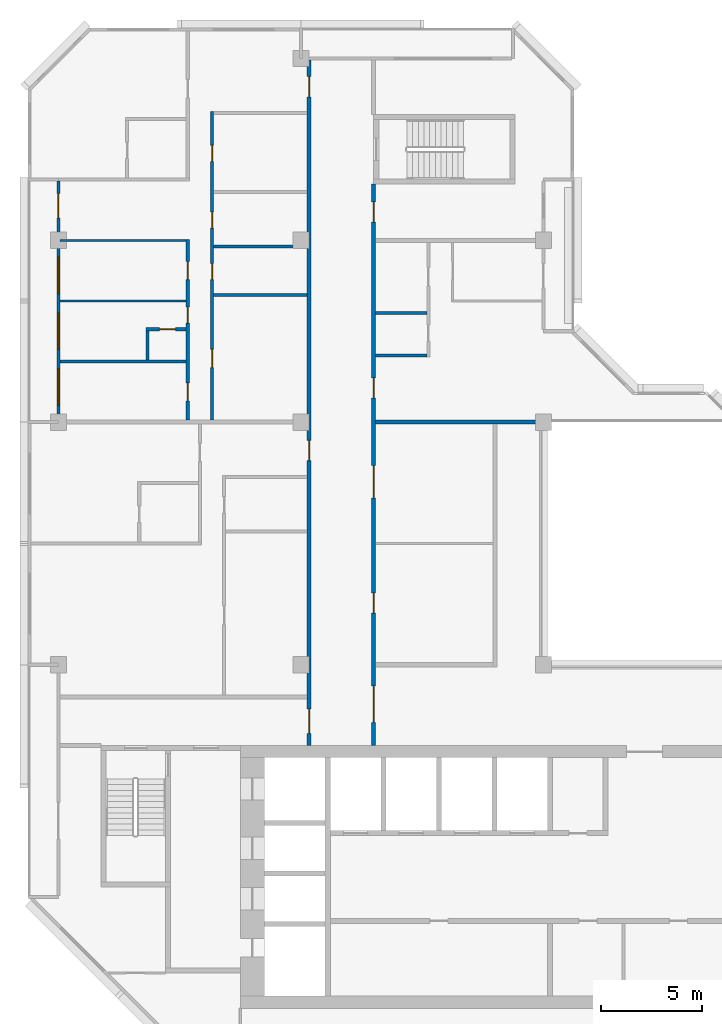
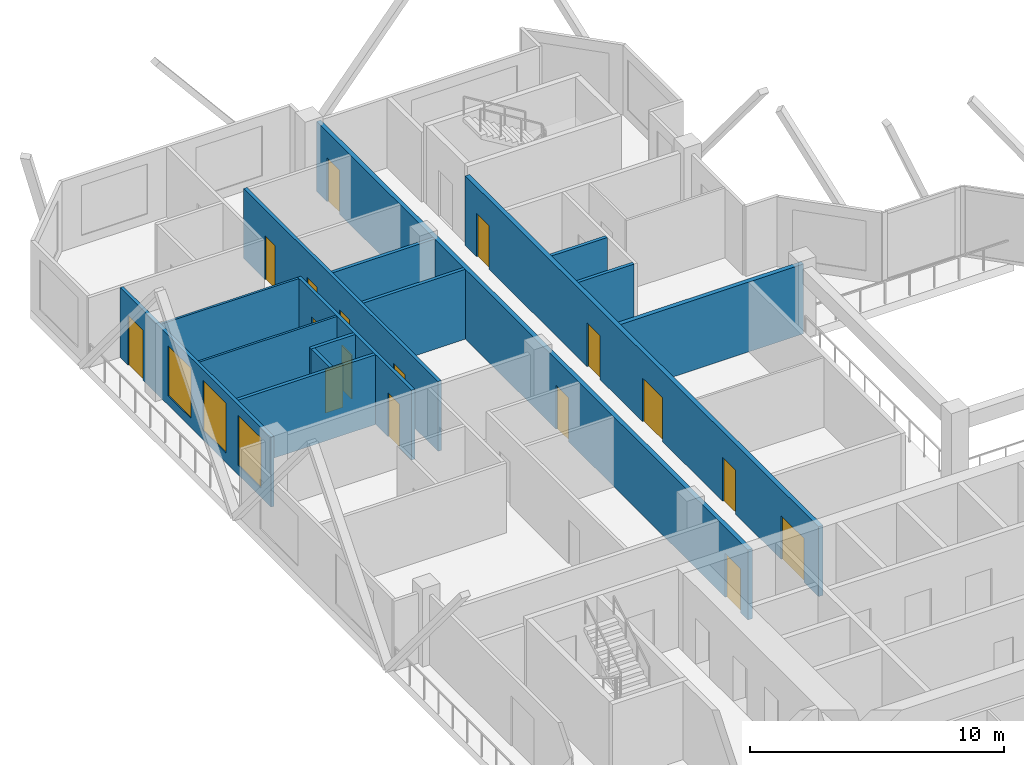
# One storey, part 9 of 13: 17 doors, 15 walls, 3 windows, 20 openings.
"""IFC4 building model written with IfcOpenShell, lengths in metres."""

from ifc_helpers import new_model, si_unit, direction, frame, frame_2d, origin, place, context, subcontext, project, spatial, rectangle, extrude, material, layer, layer_set, type_object, element, fill, save


model = new_model("IFC4")

# Units and contexts
model_context = context("Model", 3, precision=1e-05, world=origin(), true_north=direction((0.0, 1.0)))
body_context = subcontext(model_context, "Body", "Model", "MODEL_VIEW")
ifc_project = project(units=[si_unit("LENGTHUNIT", "METRE"), si_unit("AREAUNIT", "SQUARE_METRE"), si_unit("VOLUMEUNIT", "CUBIC_METRE"), si_unit("PLANEANGLEUNIT", "RADIAN"), si_unit("MASSUNIT", "GRAM", prefix="KILO")], contexts=[model_context])

# Site, building, storey
site_placement = place(None, origin())
site = spatial("IfcSite", under=ifc_project, at=site_placement, CompositionType="ELEMENT")
building_placement = place(site_placement, origin())
building = spatial("IfcBuilding", under=site, at=building_placement, Name="Chenar Terraces", CompositionType="ELEMENT")
storey_placement = place(building_placement, frame((0.0, 0.0, 295.89990234375)))
storey = spatial("IfcBuildingStorey", under=building, at=storey_placement, Name="L69", CompositionType="ELEMENT", Elevation=295.89990234375)

# Wall, openings, doors
ifc_material_1 = material(Name="Gypsum board on steel studs with fire boards", Category="steel")
ifc_layer_1 = layer(ifc_material_1, 0.199951171875)
ifc_layer_set_1 = layer_set([ifc_layer_1], Name="Gypsum board on steel studs with fire boards")
wall_type_1 = type_object("IfcWallType", Name="Corridor wall 200", PredefinedType="PARTITIONING", material=ifc_layer_set_1)
wall_1_placement = place(storey_placement, frame((12.39990234375, 20.0, 0.0), z_axis=(0.0, 0.0, 1.0), x_axis=(0.0, 1.0, 0.0)))
wall_1 = element("IfcWall", 1, at=wall_1_placement, inside=storey, type_object=wall_type_1, Name="Partition L69-031", PredefinedType="PARTITIONING", context=body_context, shape_type="SweptSolid", body=[
    extrude(rectangle(XDim=33.926025390625, YDim=0.199951171875, at=frame_2d((16.962890625, 0.0))), origin(), (0.0, 0.0, 1.0), 3.35009765625),
])
opening_1_placement = place(wall_1_placement, frame((32.10009765625, 0.0, 0.0)))
opening_1 = element("IfcOpeningElement", 2, at=opening_1_placement, cuts=wall_1, Name="Opening DL69-22", PredefinedType="OPENING", context=body_context, shape_type="SweptSolid", body=[
    extrude(rectangle(XDim=1.0, YDim=2.10009765625, at=frame_2d((0.5, 1.050048828125))), frame((0.0, 0.10986328125, 0.0), z_axis=(0.0, -1.0, 0.0), x_axis=(1.0, 0.0, 0.0)), (0.0, 0.0, 1.0), 0.219970703125),
])
opening_2_placement = place(wall_1_placement, frame((0.60009765625, 0.0, 0.0)))
opening_2 = element("IfcOpeningElement", 3, at=opening_2_placement, cuts=wall_1, Name="Opening DL69-29", PredefinedType="OPENING", context=body_context, shape_type="SweptSolid", body=[
    extrude(rectangle(XDim=1.199951171875, YDim=2.10009765625, at=frame_2d((0.60009765625, 1.050048828125))), frame((0.0, 0.10986328125, 0.0), z_axis=(0.0, -1.0, 0.0), x_axis=(1.0, 0.0, 0.0)), (0.0, 0.0, 1.0), 0.219970703125),
])
opening_3_placement = place(wall_1_placement, frame((14.10009765625, 0.0, 0.0)))
opening_3 = element("IfcOpeningElement", 4, at=opening_3_placement, cuts=wall_1, Name="Opening DL69-52", PredefinedType="OPENING", context=body_context, shape_type="SweptSolid", body=[
    extrude(rectangle(XDim=1.0, YDim=2.10009765625, at=frame_2d((0.5, 1.050048828125))), frame((0.0, 0.10986328125, 0.0), z_axis=(0.0, -1.0, 0.0), x_axis=(1.0, 0.0, 0.0)), (0.0, 0.0, 1.0), 0.219970703125),
])
ifc_material_2 = material(Name="Steel-framed fire-resisting door leaf", Category="steel")
door_type_1 = type_object("IfcDoorType", Name="Fire door FD30S 1000 x 2100", OperationType="SINGLE_SWING_LEFT", PredefinedType="DOOR", material=ifc_material_2)
door_1_placement = place(opening_1_placement, origin())
door_1 = element("IfcDoor", 5, at=door_1_placement, inside=storey, type_object=door_type_1, Name="Door DL69-22", OperationType="SINGLE_SWING_RIGHT", OverallHeight=2.10009765625, OverallWidth=1.0, PredefinedType="DOOR", context=body_context, shape_type="SweptSolid", body=[
    extrude(rectangle(XDim=1.0, YDim=2.10009765625, at=frame_2d((0.5, 1.050048828125))), frame((0.0, 0.02490234375, 0.0), z_axis=(0.0, -1.0, 0.0), x_axis=(1.0, 0.0, 0.0)), (0.0, 0.0, 1.0), 0.050048828125),
])
fill(opening_1, door_1)
door_2_placement = place(opening_3_placement, origin())
door_2 = element("IfcDoor", 6, at=door_2_placement, inside=storey, type_object=door_type_1, Name="Door DL69-52", OperationType="SINGLE_SWING_RIGHT", OverallHeight=2.10009765625, OverallWidth=1.0, PredefinedType="DOOR", context=body_context, shape_type="SweptSolid", body=[
    extrude(rectangle(XDim=1.0, YDim=2.10009765625, at=frame_2d((0.5, 1.050048828125))), frame((0.0, 0.02490234375, 0.0), z_axis=(0.0, -1.0, 0.0), x_axis=(1.0, 0.0, 0.0)), (0.0, 0.0, 1.0), 0.050048828125),
])
fill(opening_3, door_2)
ifc_material_3 = material(Name="Steel-framed fire-resisting door leaf", Category="steel")
door_type_2 = type_object("IfcDoorType", Name="Fire door FD30S 1200 x 2100", OperationType="SINGLE_SWING_LEFT", PredefinedType="DOOR", material=ifc_material_3)
door_3_placement = place(opening_2_placement, origin())
door_3 = element("IfcDoor", 7, at=door_3_placement, inside=storey, type_object=door_type_2, Name="Door DL69-29", OperationType="SINGLE_SWING_RIGHT", OverallHeight=2.10009765625, OverallWidth=1.199951171875, PredefinedType="DOOR", context=body_context, shape_type="SweptSolid", body=[
    extrude(rectangle(XDim=1.199951171875, YDim=2.10009765625, at=frame_2d((0.60009765625, 1.050048828125))), frame((0.0, 0.02490234375, 0.0), z_axis=(0.0, -1.0, 0.0), x_axis=(1.0, 0.0, 0.0)), (0.0, 0.0, 1.0), 0.050048828125),
])
fill(opening_2, door_3)

wall_2_placement = place(storey_placement, frame((15.60009765625, 20.0, 0.0), z_axis=(0.0, 0.0, 1.0), x_axis=(0.0, 1.0, 0.0)))
wall_2 = element("IfcWall", 8, at=wall_2_placement, inside=storey, type_object=wall_type_1, Name="Partition L69-033", PredefinedType="PARTITIONING", context=body_context, shape_type="SweptSolid", body=[
    extrude(rectangle(XDim=27.77490234375, YDim=0.199951171875, at=frame_2d((13.887451171875, 0.0))), origin(), (0.0, 0.0, 1.0), 3.35009765625),
])
opening_4_placement = place(wall_2_placement, frame((6.550048828125, 0.0, 0.0)))
opening_4 = element("IfcOpeningElement", 9, at=opening_4_placement, cuts=wall_2, Name="Opening DL69-1", PredefinedType="OPENING", context=body_context, shape_type="SweptSolid", body=[
    extrude(rectangle(XDim=1.0, YDim=2.10009765625, at=frame_2d((0.5, 1.050048828125))), frame((0.0, 0.10986328125, 0.0), z_axis=(0.0, -1.0, 0.0), x_axis=(1.0, 0.0, 0.0)), (0.0, 0.0, 1.0), 0.219970703125),
])
opening_5_placement = place(wall_2_placement, frame((12.25, 0.0, 0.0)))
opening_5 = element("IfcOpeningElement", 10, at=opening_5_placement, cuts=wall_2, Name="Opening DL69-2", PredefinedType="OPENING", context=body_context, shape_type="SweptSolid", body=[
    extrude(rectangle(XDim=1.60009765625, YDim=2.10009765625, at=frame_2d((0.800048828125, 1.050048828125))), frame((0.0, 0.10986328125, 0.0), z_axis=(0.0, -1.0, 0.0), x_axis=(1.0, 0.0, 0.0)), (0.0, 0.0, 1.0), 0.219970703125),
])
opening_6_placement = place(wall_2_placement, frame((17.199951171875, 0.0, 0.0)))
opening_6 = element("IfcOpeningElement", 11, at=opening_6_placement, cuts=wall_2, Name="Opening DL69-15", PredefinedType="OPENING", context=body_context, shape_type="SweptSolid", body=[
    extrude(rectangle(XDim=1.0, YDim=2.10009765625, at=frame_2d((0.5, 1.050048828125))), frame((0.0, 0.10986328125, 0.0), z_axis=(0.0, -1.0, 0.0), x_axis=(1.0, 0.0, 0.0)), (0.0, 0.0, 1.0), 0.219970703125),
])
opening_7_placement = place(wall_2_placement, frame((1.14990234375, 0.0, 0.0)))
opening_7 = element("IfcOpeningElement", 12, at=opening_7_placement, cuts=wall_2, Name="Opening DL69-28", PredefinedType="OPENING", context=body_context, shape_type="SweptSolid", body=[
    extrude(rectangle(XDim=1.800048828125, YDim=2.10009765625, at=frame_2d((0.89990234375, 1.050048828125))), frame((0.0, 0.10986328125, 0.0), z_axis=(0.0, -1.0, 0.0), x_axis=(1.0, 0.0, 0.0)), (0.0, 0.0, 1.0), 0.219970703125),
])
opening_8_placement = place(wall_2_placement, frame((25.89990234375, 0.0, 0.0)))
opening_8 = element("IfcOpeningElement", 13, at=opening_8_placement, cuts=wall_2, Name="Opening DL69-31", PredefinedType="OPENING", context=body_context, shape_type="SweptSolid", body=[
    extrude(rectangle(XDim=1.0, YDim=2.10009765625, at=frame_2d((0.5, 1.050048828125))), frame((0.0, 0.10986328125, 0.0), z_axis=(0.0, -1.0, 0.0), x_axis=(1.0, 0.0, 0.0)), (0.0, 0.0, 1.0), 0.219970703125),
])
ifc_material_4 = material(Name="Steel-framed fire-resisting door leaf", Category="steel")
door_type_3 = type_object("IfcDoorType", Name="Fire door FD60 1000 x 2100", OperationType="SINGLE_SWING_LEFT", PredefinedType="DOOR", material=ifc_material_4)
door_4_placement = place(opening_4_placement, frame((1.0, 0.0, 0.0), z_axis=(0.0, 0.0, 1.0), x_axis=(-1.0, 0.0, 0.0)))
door_4 = element("IfcDoor", 14, at=door_4_placement, inside=storey, type_object=door_type_3, Name="Door DL69-1", OperationType="SINGLE_SWING_LEFT", OverallHeight=2.10009765625, OverallWidth=1.0, PredefinedType="DOOR", context=body_context, shape_type="SweptSolid", body=[
    extrude(rectangle(XDim=1.0, YDim=2.10009765625, at=frame_2d((0.5, 1.050048828125))), frame((0.0, 0.02490234375, 0.0), z_axis=(0.0, -1.0, 0.0), x_axis=(1.0, 0.0, 0.0)), (0.0, 0.0, 1.0), 0.050048828125),
])
fill(opening_4, door_4)
door_5_placement = place(opening_6_placement, frame((1.0, 0.0, 0.0), z_axis=(0.0, 0.0, 1.0), x_axis=(-1.0, 0.0, 0.0)))
door_5 = element("IfcDoor", 15, at=door_5_placement, inside=storey, type_object=door_type_3, Name="Door DL69-15", OperationType="SINGLE_SWING_LEFT", OverallHeight=2.10009765625, OverallWidth=1.0, PredefinedType="DOOR", context=body_context, shape_type="SweptSolid", body=[
    extrude(rectangle(XDim=1.0, YDim=2.10009765625, at=frame_2d((0.5, 1.050048828125))), frame((0.0, 0.02490234375, 0.0), z_axis=(0.0, -1.0, 0.0), x_axis=(1.0, 0.0, 0.0)), (0.0, 0.0, 1.0), 0.050048828125),
])
fill(opening_6, door_5)
door_6_placement = place(opening_8_placement, frame((1.0, 0.0, 0.0), z_axis=(0.0, 0.0, 1.0), x_axis=(-1.0, 0.0, 0.0)))
door_6 = element("IfcDoor", 16, at=door_6_placement, inside=storey, type_object=door_type_3, Name="Door DL69-31", OperationType="SINGLE_SWING_RIGHT", OverallHeight=2.10009765625, OverallWidth=1.0, PredefinedType="DOOR", context=body_context, shape_type="SweptSolid", body=[
    extrude(rectangle(XDim=1.0, YDim=2.10009765625, at=frame_2d((0.5, 1.050048828125))), frame((0.0, 0.02490234375, 0.0), z_axis=(0.0, -1.0, 0.0), x_axis=(1.0, 0.0, 0.0)), (0.0, 0.0, 1.0), 0.050048828125),
])
fill(opening_8, door_6)
ifc_material_5 = material(Name="Steel-framed fire-resisting door leaf", Category="steel")
door_type_4 = type_object("IfcDoorType", Name="Fire double door FD60 1600 x 2100", OperationType="DOUBLE_DOOR_SINGLE_SWING", PredefinedType="DOOR", material=ifc_material_5)
door_7_placement = place(opening_5_placement, frame((1.60009765625, 0.0, 0.0), z_axis=(0.0, 0.0, 1.0), x_axis=(-1.0, 0.0, 0.0)))
door_7 = element("IfcDoor", 17, at=door_7_placement, inside=storey, type_object=door_type_4, Name="Door DL69-2", OperationType="DOUBLE_DOOR_SINGLE_SWING", OverallHeight=2.10009765625, OverallWidth=1.60009765625, PredefinedType="DOOR", context=body_context, shape_type="SweptSolid", body=[
    extrude(rectangle(XDim=1.60009765625, YDim=2.10009765625, at=frame_2d((0.800048828125, 1.050048828125))), frame((0.0, 0.02490234375, 0.0), z_axis=(0.0, -1.0, 0.0), x_axis=(1.0, 0.0, 0.0)), (0.0, 0.0, 1.0), 0.050048828125),
])
fill(opening_5, door_7)
ifc_material_6 = material(Name="Steel-framed fire-resisting door leaf", Category="steel")
door_type_5 = type_object("IfcDoorType", Name="Fire double door FD60 1800 x 2100", OperationType="DOUBLE_DOOR_SINGLE_SWING", PredefinedType="DOOR", material=ifc_material_6)
door_8_placement = place(opening_7_placement, frame((1.800048828125, 0.0, 0.0), z_axis=(0.0, 0.0, 1.0), x_axis=(-1.0, 0.0, 0.0)))
door_8 = element("IfcDoor", 18, at=door_8_placement, inside=storey, type_object=door_type_5, Name="Door DL69-28", OperationType="DOUBLE_DOOR_SINGLE_SWING", OverallHeight=2.10009765625, OverallWidth=1.800048828125, PredefinedType="DOOR", context=body_context, shape_type="SweptSolid", body=[
    extrude(rectangle(XDim=1.800048828125, YDim=2.10009765625, at=frame_2d((0.89990234375, 1.050048828125))), frame((0.0, 0.02490234375, 0.0), z_axis=(0.0, -1.0, 0.0), x_axis=(1.0, 0.0, 0.0)), (0.0, 0.0, 1.0), 0.050048828125),
])
fill(opening_7, door_8)

# Wall, openings, windows, door
ifc_material_7 = material(Name="Aluminium framed glazing", Category="aluminium")
ifc_layer_2 = layer(ifc_material_7, 0.14990234375)
ifc_layer_set_2 = layer_set([ifc_layer_2], Name="Aluminium framed glazing")
wall_type_2 = type_object("IfcWallType", Name="Glazed loggia back wall 150", PredefinedType="SOLIDWALL", material=ifc_layer_set_2)
wall_3_placement = place(storey_placement, frame((0.0, 47.925048828125, 0.0), z_axis=(0.0, 0.0, 1.0), x_axis=(0.0, -1.0, 0.0)))
wall_3 = element("IfcWall", 19, at=wall_3_placement, inside=storey, type_object=wall_type_2, Name="Glazed loggia back wall", PredefinedType="SOLIDWALL", context=body_context, shape_type="SweptSolid", body=[
    extrude(rectangle(XDim=11.85009765625, YDim=0.14990234375, at=frame_2d((5.925048828125, 0.0))), origin(), (0.0, 0.0, 1.0), 3.35009765625),
])
opening_9_placement = place(wall_3_placement, frame((0.612548828125, 0.0, 0.0)))
opening_9 = element("IfcOpeningElement", 20, at=opening_9_placement, cuts=wall_3, Name="Opening DL69-G2", PredefinedType="OPENING", context=body_context, shape_type="SweptSolid", body=[
    extrude(rectangle(XDim=1.199951171875, YDim=2.39990234375, at=frame_2d((0.60009765625, 1.199951171875))), frame((0.0, 0.0849609375, 0.0), z_axis=(0.0, -1.0, 0.0), x_axis=(1.0, 0.0, 0.0)), (0.0, 0.0, 1.0), 0.169921875),
])
opening_10_placement = place(wall_3_placement, frame((3.77490234375, 0.0, 0.449951171875)))
opening_10 = element("IfcOpeningElement", 21, at=opening_10_placement, cuts=wall_3, Name="Opening W180x240", PredefinedType="OPENING", context=body_context, shape_type="SweptSolid", body=[
    extrude(rectangle(XDim=1.800048828125, YDim=2.39990234375, at=frame_2d((0.89990234375, 1.199951171875))), frame((0.0, 0.0849609375, 0.0), z_axis=(0.0, -1.0, 0.0), x_axis=(1.0, 0.0, 0.0)), (0.0, 0.0, 1.0), 0.169921875),
])
opening_11_placement = place(wall_3_placement, frame((6.52490234375, 0.0, 0.449951171875)))
opening_11 = element("IfcOpeningElement", 22, at=opening_11_placement, cuts=wall_3, Name="Opening W180x240", PredefinedType="OPENING", context=body_context, shape_type="SweptSolid", body=[
    extrude(rectangle(XDim=1.800048828125, YDim=2.39990234375, at=frame_2d((0.89990234375, 1.199951171875))), frame((0.0, 0.0849609375, 0.0), z_axis=(0.0, -1.0, 0.0), x_axis=(1.0, 0.0, 0.0)), (0.0, 0.0, 1.0), 0.169921875),
])
opening_12_placement = place(wall_3_placement, frame((9.27490234375, 0.0, 0.449951171875)))
opening_12 = element("IfcOpeningElement", 23, at=opening_12_placement, cuts=wall_3, Name="Opening W180x240", PredefinedType="OPENING", context=body_context, shape_type="SweptSolid", body=[
    extrude(rectangle(XDim=1.800048828125, YDim=2.39990234375, at=frame_2d((0.89990234375, 1.199951171875))), frame((0.0, 0.0849609375, 0.0), z_axis=(0.0, -1.0, 0.0), x_axis=(1.0, 0.0, 0.0)), (0.0, 0.0, 1.0), 0.169921875),
])
ifc_material_8 = material(Name="Low emissivity double glazing, aluminium frame", Category="aluminium")
window_type = type_object("IfcWindowType", Name="Fixed light 1800 x 2400", PartitioningType="SINGLE_PANEL", PredefinedType="WINDOW", material=ifc_material_8)
window_1_placement = place(opening_10_placement, origin())
window_1 = element("IfcWindow", 24, at=window_1_placement, inside=storey, type_object=window_type, Name="Window", OverallHeight=2.39990234375, OverallWidth=1.800048828125, PartitioningType="SINGLE_PANEL", PredefinedType="WINDOW", context=body_context, shape_type="SweptSolid", body=[
    extrude(rectangle(XDim=1.800048828125, YDim=2.39990234375, at=frame_2d((0.89990234375, 1.199951171875))), frame((0.0, 0.030029296875, 0.0), z_axis=(0.0, -1.0, 0.0), x_axis=(1.0, 0.0, 0.0)), (0.0, 0.0, 1.0), 0.06005859375),
])
fill(opening_10, window_1)
window_2_placement = place(opening_11_placement, origin())
window_2 = element("IfcWindow", 25, at=window_2_placement, inside=storey, type_object=window_type, Name="Window", OverallHeight=2.39990234375, OverallWidth=1.800048828125, PartitioningType="SINGLE_PANEL", PredefinedType="WINDOW", context=body_context, shape_type="SweptSolid", body=[
    extrude(rectangle(XDim=1.800048828125, YDim=2.39990234375, at=frame_2d((0.89990234375, 1.199951171875))), frame((0.0, 0.030029296875, 0.0), z_axis=(0.0, -1.0, 0.0), x_axis=(1.0, 0.0, 0.0)), (0.0, 0.0, 1.0), 0.06005859375),
])
fill(opening_11, window_2)
window_3_placement = place(opening_12_placement, origin())
window_3 = element("IfcWindow", 26, at=window_3_placement, inside=storey, type_object=window_type, Name="Window", OverallHeight=2.39990234375, OverallWidth=1.800048828125, PartitioningType="SINGLE_PANEL", PredefinedType="WINDOW", context=body_context, shape_type="SweptSolid", body=[
    extrude(rectangle(XDim=1.800048828125, YDim=2.39990234375, at=frame_2d((0.89990234375, 1.199951171875))), frame((0.0, 0.030029296875, 0.0), z_axis=(0.0, -1.0, 0.0), x_axis=(1.0, 0.0, 0.0)), (0.0, 0.0, 1.0), 0.06005859375),
])
fill(opening_12, window_3)
ifc_material_9 = material(Name="Low emissivity double glazing, aluminium frame", Category="aluminium")
door_type_6 = type_object("IfcDoorType", Name="Loggia glazed double door 1200 x 2400", OperationType="DOUBLE_DOOR_SINGLE_SWING", PredefinedType="DOOR", material=ifc_material_9)
door_9_placement = place(opening_9_placement, frame((1.199951171875, 0.0, 0.0), z_axis=(0.0, 0.0, 1.0), x_axis=(-1.0, 0.0, 0.0)))
door_9 = element("IfcDoor", 27, at=door_9_placement, inside=storey, type_object=door_type_6, Name="Loggia glazed door", OperationType="DOUBLE_DOOR_SINGLE_SWING", OverallHeight=2.39990234375, OverallWidth=1.199951171875, PredefinedType="DOOR", context=body_context, shape_type="SweptSolid", body=[
    extrude(rectangle(XDim=1.199951171875, YDim=2.39990234375, at=frame_2d((0.60009765625, 1.199951171875))), frame((0.0, 0.02490234375, 0.0), z_axis=(0.0, -1.0, 0.0), x_axis=(1.0, 0.0, 0.0)), (0.0, 0.0, 1.0), 0.050048828125),
])
fill(opening_9, door_9)

# Walls
ifc_material_10 = material(Name="Gypsum board on steel studs", Category="steel")
ifc_layer_3 = layer(ifc_material_10, 0.10009765625)
ifc_layer_set_3 = layer_set([ifc_layer_3], Name="Gypsum board on steel studs")
wall_type_3 = type_object("IfcWallType", Name="Gypsum partition 100", PredefinedType="PARTITIONING", material=ifc_layer_set_3)
for number, where, z_axis, x_axis, name in (
    (28, (0.073974609375, 42.0, 0.0), (0.0, 0.0, 1.0), (1.0, 0.0, 0.0), "Partition L69-007"),
    (29, (0.073974609375, 45.0, 0.0), (0.0, 0.0, 1.0), (1.0, 0.0, 0.0), "Partition L69-008"),
):
    element("IfcWall", number, at=place(storey_placement, frame(where, z_axis=z_axis, x_axis=x_axis)), inside=storey, type_object=wall_type_3, Name=name, PredefinedType="PARTITIONING", context=body_context, shape_type="SweptSolid", body=[
        extrude(rectangle(XDim=6.2509765625, YDim=0.10009765625, at=frame_2d((3.12548828125, 0.0))), origin(), (0.0, 0.0, 1.0), 3.35009765625),
    ])
ifc_material_11 = material(Name="Twin gypsum board on steel studs with mineral wool", Category="steel")
ifc_layer_4 = layer(ifc_material_11, 0.199951171875)
ifc_layer_set_4 = layer_set([ifc_layer_4], Name="Twin gypsum board on steel studs with mineral wool")
wall_type_4 = type_object("IfcWallType", Name="Unit demising wall 200", PredefinedType="PARTITIONING", material=ifc_layer_set_4)
wall_4_placement = place(storey_placement, frame((15.699951171875, 36.0, 0.0), z_axis=(0.0, 0.0, 1.0), x_axis=(1.0, 0.0, 0.0)))
element("IfcWall", 30, at=wall_4_placement, inside=storey, type_object=wall_type_4, Name="Partition L69-037", PredefinedType="PARTITIONING", context=body_context, shape_type="SweptSolid", body=[
    extrude(rectangle(XDim=8.300048828125, YDim=0.199951171875, at=frame_2d((4.14990234375, 0.0))), origin(), (0.0, 0.0, 1.0), 3.35009765625),
])
ifc_material_12 = material(Name="Moisture-resistant gypsum board on steel studs", Category="steel")
ifc_layer_5 = layer(ifc_material_12, 0.14990234375)
ifc_layer_set_5 = layer_set([ifc_layer_5], Name="Moisture-resistant gypsum board on steel studs")
wall_type_5 = type_object("IfcWallType", Name="Wet-room partition 150", PredefinedType="PARTITIONING", material=ifc_layer_set_5)
wall_5_placement = place(storey_placement, frame((0.073974609375, 39.0, 0.0), z_axis=(0.0, 0.0, 1.0), x_axis=(1.0, 0.0, 0.0)))
element("IfcWall", 31, at=wall_5_placement, inside=storey, type_object=wall_type_5, Name="Partition L69-006", PredefinedType="PARTITIONING", context=body_context, shape_type="SweptSolid", body=[
    extrude(rectangle(XDim=6.2509765625, YDim=0.14990234375, at=frame_2d((3.12548828125, 0.0))), origin(), (0.0, 0.0, 1.0), 3.35009765625),
])

# Wall, opening, door
wall_6_placement = place(storey_placement, frame((4.324951171875, 40.60009765625, 0.0), z_axis=(0.0, 0.0, 1.0), x_axis=(1.0, 0.0, 0.0)))
wall_6 = element("IfcWall", 32, at=wall_6_placement, inside=storey, type_object=wall_type_5, Name="Partition L69-014", PredefinedType="PARTITIONING", context=body_context, shape_type="SweptSolid", body=[
    extrude(rectangle(XDim=2.0, YDim=0.14990234375, at=frame_2d((1.0, 0.0))), origin(), (0.0, 0.0, 1.0), 3.35009765625),
])
opening_13_placement = place(wall_6_placement, frame((0.675048828125, 0.0, 0.0)))
opening_13 = element("IfcOpeningElement", 33, at=opening_13_placement, cuts=wall_6, Name="Opening DL69-24", PredefinedType="OPENING", context=body_context, shape_type="SweptSolid", body=[
    extrude(rectangle(XDim=0.800048828125, YDim=2.10009765625, at=frame_2d((0.39990234375, 1.050048828125))), frame((0.0, 0.0849609375, 0.0), z_axis=(0.0, -1.0, 0.0), x_axis=(1.0, 0.0, 0.0)), (0.0, 0.0, 1.0), 0.169921875),
])
ifc_material_13 = material(Name="Veneered timber door leaf", Category="wood")
door_type_7 = type_object("IfcDoorType", Name="Door 800 x 2100", OperationType="SINGLE_SWING_LEFT", PredefinedType="DOOR", material=ifc_material_13)
door_10_placement = place(opening_13_placement, frame((0.800048828125, 0.0, 0.0), z_axis=(0.0, 0.0, 1.0), x_axis=(-1.0, 0.0, 0.0)))
door_10 = element("IfcDoor", 34, at=door_10_placement, inside=storey, type_object=door_type_7, Name="Door DL69-24", OperationType="SINGLE_SWING_RIGHT", OverallHeight=2.10009765625, OverallWidth=0.800048828125, PredefinedType="DOOR", context=body_context, shape_type="SweptSolid", body=[
    extrude(rectangle(XDim=0.800048828125, YDim=2.10009765625, at=frame_2d((0.39990234375, 1.050048828125))), frame((0.0, 0.02490234375, 0.0), z_axis=(0.0, -1.0, 0.0), x_axis=(1.0, 0.0, 0.0)), (0.0, 0.0, 1.0), 0.050048828125),
])
fill(opening_13, door_10)

# Wall
wall_7_placement = place(storey_placement, frame((4.39990234375, 39.074951171875, 0.0), z_axis=(0.0, 0.0, 1.0), x_axis=(0.0, 1.0, 0.0)))
element("IfcWall", 35, at=wall_7_placement, inside=storey, type_object=wall_type_5, Name="Partition L69-015", PredefinedType="PARTITIONING", context=body_context, shape_type="SweptSolid", body=[
    extrude(rectangle(XDim=1.449951171875, YDim=0.14990234375, at=frame_2d((0.72509765625, 0.0))), origin(), (0.0, 0.0, 1.0), 3.35009765625),
])

# Wall, openings, doors
wall_8_placement = place(storey_placement, frame((6.39990234375, 36.10009765625, 0.0), z_axis=(0.0, 0.0, 1.0), x_axis=(0.0, 1.0, 0.0)))
wall_8 = element("IfcWall", 36, at=wall_8_placement, inside=storey, type_object=wall_type_5, Name="Partition L69-016", PredefinedType="PARTITIONING", context=body_context, shape_type="SweptSolid", body=[
    extrude(rectangle(XDim=8.949951171875, YDim=0.14990234375, at=frame_2d((4.47509765625, 0.0))), origin(), (0.0, 0.0, 1.0), 3.35009765625),
])
opening_14_placement = place(wall_8_placement, frame((0.949951171875, 0.0, 0.0)))
opening_14 = element("IfcOpeningElement", 37, at=opening_14_placement, cuts=wall_8, Name="Opening DL69-17", PredefinedType="OPENING", context=body_context, shape_type="SweptSolid", body=[
    extrude(rectangle(XDim=0.89990234375, YDim=2.10009765625, at=frame_2d((0.449951171875, 1.050048828125))), frame((0.0, 0.0849609375, 0.0), z_axis=(0.0, -1.0, 0.0), x_axis=(1.0, 0.0, 0.0)), (0.0, 0.0, 1.0), 0.169921875),
])
opening_15_placement = place(wall_8_placement, frame((6.949951171875, 0.0, 0.0)))
opening_15 = element("IfcOpeningElement", 38, at=opening_15_placement, cuts=wall_8, Name="Opening DL69-18", PredefinedType="OPENING", context=body_context, shape_type="SweptSolid", body=[
    extrude(rectangle(XDim=0.89990234375, YDim=2.10009765625, at=frame_2d((0.449951171875, 1.050048828125))), frame((0.0, 0.0849609375, 0.0), z_axis=(0.0, -1.0, 0.0), x_axis=(1.0, 0.0, 0.0)), (0.0, 0.0, 1.0), 0.169921875),
])
opening_16_placement = place(wall_8_placement, frame((4.800048828125, 0.0, 0.0)))
opening_16 = element("IfcOpeningElement", 39, at=opening_16_placement, cuts=wall_8, Name="Opening DL69-23", PredefinedType="OPENING", context=body_context, shape_type="SweptSolid", body=[
    extrude(rectangle(XDim=0.800048828125, YDim=2.10009765625, at=frame_2d((0.39990234375, 1.050048828125))), frame((0.0, 0.0849609375, 0.0), z_axis=(0.0, -1.0, 0.0), x_axis=(1.0, 0.0, 0.0)), (0.0, 0.0, 1.0), 0.169921875),
])
door_11_placement = place(opening_16_placement, origin())
door_11 = element("IfcDoor", 40, at=door_11_placement, inside=storey, type_object=door_type_7, Name="Door DL69-23", OperationType="SINGLE_SWING_RIGHT", OverallHeight=2.10009765625, OverallWidth=0.800048828125, PredefinedType="DOOR", context=body_context, shape_type="SweptSolid", body=[
    extrude(rectangle(XDim=0.800048828125, YDim=2.10009765625, at=frame_2d((0.39990234375, 1.050048828125))), frame((0.0, 0.02490234375, 0.0), z_axis=(0.0, -1.0, 0.0), x_axis=(1.0, 0.0, 0.0)), (0.0, 0.0, 1.0), 0.050048828125),
])
fill(opening_16, door_11)
ifc_material_14 = material(Name="Veneered timber door leaf", Category="wood")
door_type_8 = type_object("IfcDoorType", Name="Door 900 x 2100", OperationType="SINGLE_SWING_LEFT", PredefinedType="DOOR", material=ifc_material_14)
door_12_placement = place(opening_14_placement, origin())
door_12 = element("IfcDoor", 41, at=door_12_placement, inside=storey, type_object=door_type_8, Name="Door DL69-17", OperationType="SINGLE_SWING_RIGHT", OverallHeight=2.10009765625, OverallWidth=0.89990234375, PredefinedType="DOOR", context=body_context, shape_type="SweptSolid", body=[
    extrude(rectangle(XDim=0.89990234375, YDim=2.10009765625, at=frame_2d((0.449951171875, 1.050048828125))), frame((0.0, 0.02490234375, 0.0), z_axis=(0.0, -1.0, 0.0), x_axis=(1.0, 0.0, 0.0)), (0.0, 0.0, 1.0), 0.050048828125),
])
fill(opening_14, door_12)
door_13_placement = place(opening_15_placement, origin())
door_13 = element("IfcDoor", 42, at=door_13_placement, inside=storey, type_object=door_type_8, Name="Door DL69-18", OperationType="SINGLE_SWING_RIGHT", OverallHeight=2.10009765625, OverallWidth=0.89990234375, PredefinedType="DOOR", context=body_context, shape_type="SweptSolid", body=[
    extrude(rectangle(XDim=0.89990234375, YDim=2.10009765625, at=frame_2d((0.449951171875, 1.050048828125))), frame((0.0, 0.02490234375, 0.0), z_axis=(0.0, -1.0, 0.0), x_axis=(1.0, 0.0, 0.0)), (0.0, 0.0, 1.0), 0.050048828125),
])
fill(opening_15, door_13)

wall_9_placement = place(storey_placement, frame((7.60009765625, 36.10009765625, 0.0), z_axis=(0.0, 0.0, 1.0), x_axis=(0.0, 1.0, 0.0)))
wall_9 = element("IfcWall", 43, at=wall_9_placement, inside=storey, type_object=wall_type_5, Name="Partition L69-019", PredefinedType="PARTITIONING", context=body_context, shape_type="SweptSolid", body=[
    extrude(rectangle(XDim=15.27490234375, YDim=0.14990234375, at=frame_2d((7.637451171875, 0.0))), origin(), (0.0, 0.0, 1.0), 3.35009765625),
])
opening_17_placement = place(wall_9_placement, frame((12.800048828125, 0.0, 0.0)))
opening_17 = element("IfcOpeningElement", 44, at=opening_17_placement, cuts=wall_9, Name="Opening DL69-16", PredefinedType="OPENING", context=body_context, shape_type="SweptSolid", body=[
    extrude(rectangle(XDim=0.800048828125, YDim=2.10009765625, at=frame_2d((0.39990234375, 1.050048828125))), frame((0.0, 0.0849609375, 0.0), z_axis=(0.0, -1.0, 0.0), x_axis=(1.0, 0.0, 0.0)), (0.0, 0.0, 1.0), 0.169921875),
])
opening_18_placement = place(wall_9_placement, frame((2.60009765625, 0.0, 0.0)))
opening_18 = element("IfcOpeningElement", 45, at=opening_18_placement, cuts=wall_9, Name="Opening DL69-21", PredefinedType="OPENING", context=body_context, shape_type="SweptSolid", body=[
    extrude(rectangle(XDim=0.89990234375, YDim=2.10009765625, at=frame_2d((0.449951171875, 1.050048828125))), frame((0.0, 0.0849609375, 0.0), z_axis=(0.0, -1.0, 0.0), x_axis=(1.0, 0.0, 0.0)), (0.0, 0.0, 1.0), 0.169921875),
])
opening_19_placement = place(wall_9_placement, frame((6.949951171875, 0.0, 0.0)))
opening_19 = element("IfcOpeningElement", 46, at=opening_19_placement, cuts=wall_9, Name="Opening DL69-25", PredefinedType="OPENING", context=body_context, shape_type="SweptSolid", body=[
    extrude(rectangle(XDim=0.800048828125, YDim=2.10009765625, at=frame_2d((0.39990234375, 1.050048828125))), frame((0.0, 0.0849609375, 0.0), z_axis=(0.0, -1.0, 0.0), x_axis=(1.0, 0.0, 0.0)), (0.0, 0.0, 1.0), 0.169921875),
])
opening_20_placement = place(wall_9_placement, frame((9.5, 0.0, 0.0)))
opening_20 = element("IfcOpeningElement", 47, at=opening_20_placement, cuts=wall_9, Name="Opening DL69-26", PredefinedType="OPENING", context=body_context, shape_type="SweptSolid", body=[
    extrude(rectangle(XDim=0.800048828125, YDim=2.10009765625, at=frame_2d((0.39990234375, 1.050048828125))), frame((0.0, 0.0849609375, 0.0), z_axis=(0.0, -1.0, 0.0), x_axis=(1.0, 0.0, 0.0)), (0.0, 0.0, 1.0), 0.169921875),
])
door_14_placement = place(opening_17_placement, frame((0.800048828125, 0.0, 0.0), z_axis=(0.0, 0.0, 1.0), x_axis=(-1.0, 0.0, 0.0)))
door_14 = element("IfcDoor", 48, at=door_14_placement, inside=storey, type_object=door_type_7, Name="Door DL69-16", OperationType="SINGLE_SWING_RIGHT", OverallHeight=2.10009765625, OverallWidth=0.800048828125, PredefinedType="DOOR", context=body_context, shape_type="SweptSolid", body=[
    extrude(rectangle(XDim=0.800048828125, YDim=2.10009765625, at=frame_2d((0.39990234375, 1.050048828125))), frame((0.0, 0.02490234375, 0.0), z_axis=(0.0, -1.0, 0.0), x_axis=(1.0, 0.0, 0.0)), (0.0, 0.0, 1.0), 0.050048828125),
])
fill(opening_17, door_14)
door_15_placement = place(opening_19_placement, frame((0.800048828125, 0.0, 0.0), z_axis=(0.0, 0.0, 1.0), x_axis=(-1.0, 0.0, 0.0)))
door_15 = element("IfcDoor", 49, at=door_15_placement, inside=storey, type_object=door_type_7, Name="Door DL69-25", OperationType="SINGLE_SWING_RIGHT", OverallHeight=2.10009765625, OverallWidth=0.800048828125, PredefinedType="DOOR", context=body_context, shape_type="SweptSolid", body=[
    extrude(rectangle(XDim=0.800048828125, YDim=2.10009765625, at=frame_2d((0.39990234375, 1.050048828125))), frame((0.0, 0.02490234375, 0.0), z_axis=(0.0, -1.0, 0.0), x_axis=(1.0, 0.0, 0.0)), (0.0, 0.0, 1.0), 0.050048828125),
])
fill(opening_19, door_15)
door_16_placement = place(opening_20_placement, frame((0.800048828125, 0.0, 0.0), z_axis=(0.0, 0.0, 1.0), x_axis=(-1.0, 0.0, 0.0)))
door_16 = element("IfcDoor", 50, at=door_16_placement, inside=storey, type_object=door_type_7, Name="Door DL69-26", OperationType="SINGLE_SWING_RIGHT", OverallHeight=2.10009765625, OverallWidth=0.800048828125, PredefinedType="DOOR", context=body_context, shape_type="SweptSolid", body=[
    extrude(rectangle(XDim=0.800048828125, YDim=2.10009765625, at=frame_2d((0.39990234375, 1.050048828125))), frame((0.0, 0.02490234375, 0.0), z_axis=(0.0, -1.0, 0.0), x_axis=(1.0, 0.0, 0.0)), (0.0, 0.0, 1.0), 0.050048828125),
])
fill(opening_20, door_16)
door_17_placement = place(opening_18_placement, frame((0.89990234375, 0.0, 0.0), z_axis=(0.0, 0.0, 1.0), x_axis=(-1.0, 0.0, 0.0)))
door_17 = element("IfcDoor", 51, at=door_17_placement, inside=storey, type_object=door_type_8, Name="Door DL69-21", OperationType="SINGLE_SWING_LEFT", OverallHeight=2.10009765625, OverallWidth=0.89990234375, PredefinedType="DOOR", context=body_context, shape_type="SweptSolid", body=[
    extrude(rectangle(XDim=0.89990234375, YDim=2.10009765625, at=frame_2d((0.449951171875, 1.050048828125))), frame((0.0, 0.02490234375, 0.0), z_axis=(0.0, -1.0, 0.0), x_axis=(1.0, 0.0, 0.0)), (0.0, 0.0, 1.0), 0.050048828125),
])
fill(opening_18, door_17)

# Walls
for number, where, z_axis, x_axis, name in (
    (52, (7.675048828125, 42.300048828125, 0.0), (0.0, 0.0, 1.0), (1.0, 0.0, 0.0), "Partition L69-020"),
    (53, (7.675048828125, 44.699951171875, 0.0), (0.0, 0.0, 1.0), (1.0, 0.0, 0.0), "Partition L69-021"),
):
    element("IfcWall", number, at=place(storey_placement, frame(where, z_axis=z_axis, x_axis=x_axis)), inside=storey, type_object=wall_type_5, Name=name, PredefinedType="PARTITIONING", context=body_context, shape_type="SweptSolid", body=[
        extrude(rectangle(XDim=4.625, YDim=0.14990234375, at=frame_2d((2.3125, 0.0))), origin(), (0.0, 0.0, 1.0), 3.35009765625),
    ])
for number, where, z_axis, x_axis, name in (
    (54, (15.699951171875, 39.300048828125, 0.0), (0.0, 0.0, 1.0), (1.0, 0.0, 0.0), "Partition L69-038"),
    (55, (15.699951171875, 41.39990234375, 0.0), (0.0, 0.0, 1.0), (1.0, 0.0, 0.0), "Partition L69-039"),
):
    element("IfcWall", number, at=place(storey_placement, frame(where, z_axis=z_axis, x_axis=x_axis)), inside=storey, type_object=wall_type_5, Name=name, PredefinedType="PARTITIONING", context=body_context, shape_type="SweptSolid", body=[
        extrude(rectangle(XDim=2.525146484375, YDim=0.14990234375, at=frame_2d((1.2626953125, 0.0))), origin(), (0.0, 0.0, 1.0), 3.35009765625),
    ])

save(model, "model.ifc")
